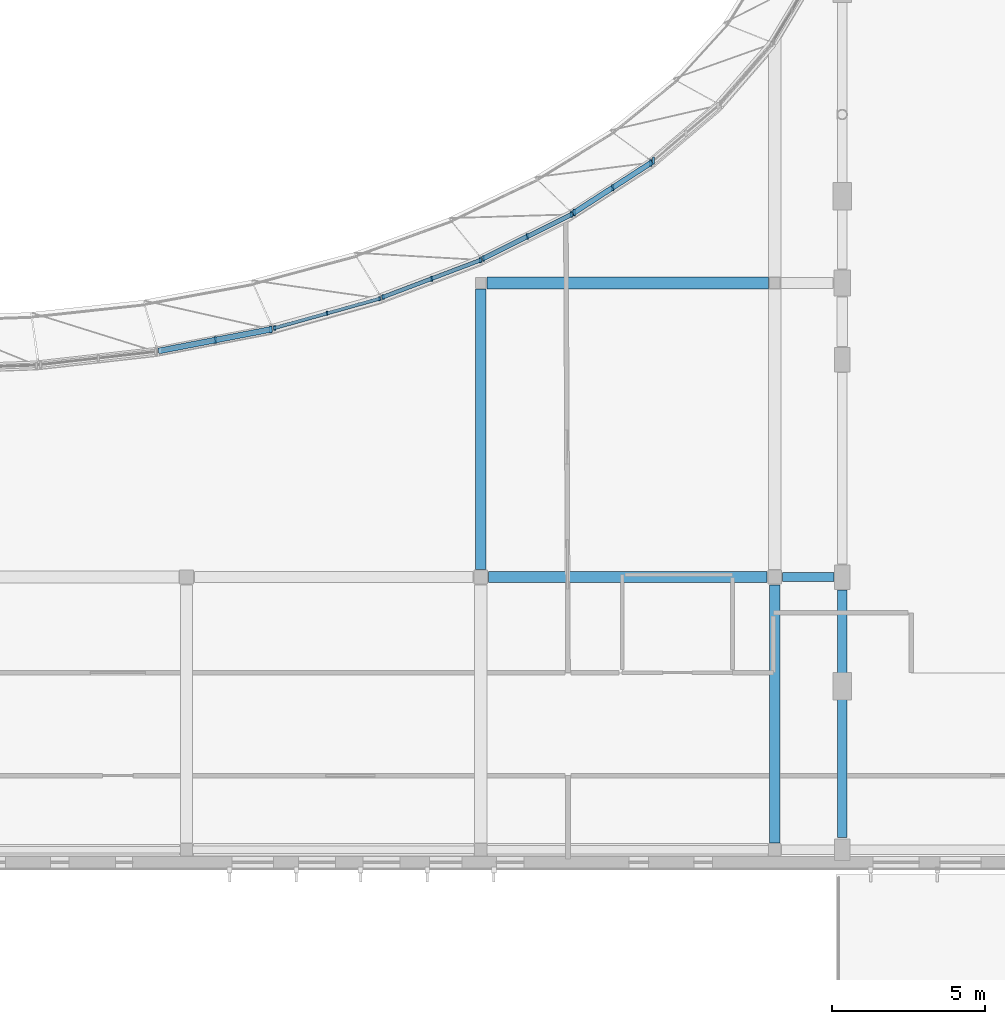
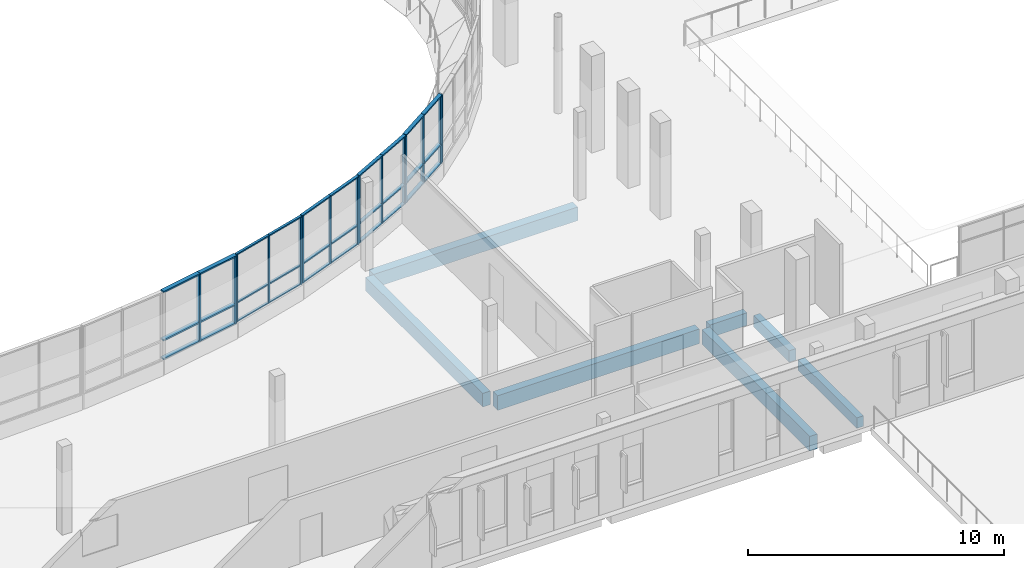
# One storey, part 15 of 73: 45 members, 7 beams, 6 elements without a shape of their own.
"""IFC4 building model written with IfcOpenShell, lengths in metres."""

from ifc_helpers import new_model, si_unit, direction, frame, origin, origin_2d, place, context, subcontext, project, spatial, rectangle, extrude, material, material_profile, profile_set, type_object, element, aggregate, save


model = new_model("IFC4")

# Units and contexts
model_context = context("Model", 3, precision=1e-05, world=origin(), true_north=direction((0.0, 1.0)))
body_context = subcontext(model_context, "Body", "Model", "MODEL_VIEW")
ifc_project = project(units=[si_unit("LENGTHUNIT", "METRE"), si_unit("AREAUNIT", "SQUARE_METRE"), si_unit("VOLUMEUNIT", "CUBIC_METRE"), si_unit("PLANEANGLEUNIT", "RADIAN"), si_unit("MASSUNIT", "GRAM", prefix="KILO")], contexts=[model_context])

# Site, building, storey
site_placement = place(None, origin())
site = spatial("IfcSite", under=ifc_project, at=site_placement, CompositionType="ELEMENT")
building_placement = place(site_placement, origin())
building = spatial("IfcBuilding", under=site, at=building_placement, Name="Mzevani Central Library", CompositionType="ELEMENT")
storey_placement = place(building_placement, frame((0.0, 0.0, 9.60009765625)))
storey = spatial("IfcBuildingStorey", under=building, at=storey_placement, Name="L02", CompositionType="ELEMENT", Elevation=9.60009765625)

# Beams
ifc_material_1 = material(Name="Concrete C35/45", Category="concrete")
ifc_material_profile_1 = material_profile(ifc_material_1, rectangle(XDim=0.300048828125, YDim=0.5, at=origin_2d()), Name="RC B300x500")
ifc_profile_set_1 = profile_set([ifc_material_profile_1], Name="Concrete C35/45")
beam_type_1 = type_object("IfcBeamType", Name="Beam RC 300x500", PredefinedType="BEAM", material=ifc_profile_set_1)
beam_1_placement = place(storey_placement, frame((114.199951171875, 43.5, -0.510009765625), z_axis=(0.0, 1.0, 0.0), x_axis=(-1.0, 0.0, 0.0)))
element("IfcBeam", 1, at=beam_1_placement, inside=storey, type_object=beam_type_1, Name="L02 V1 Frame Beam B-01 (128)", PredefinedType="BEAM", context=body_context, shape_type="SweptSolid", body=[
    extrude(rectangle(XDim=0.300048828125, YDim=0.5, at=origin_2d()), origin(), (0.0, 0.0, 1.0), 4.5830078125),
])
ifc_material_profile_2 = material_profile(ifc_material_1, rectangle(XDim=0.300048828125, YDim=0.550048828125, at=origin_2d()), Name="RC B300x550")
ifc_profile_set_2 = profile_set([ifc_material_profile_2], Name="Concrete C35/45")
beam_type_2 = type_object("IfcBeamType", Name="Beam RC 300x550", PredefinedType="BEAM", material=ifc_profile_set_2)
beam_2_placement = place(storey_placement, frame((114.199951171875, 48.782958984375, -0.53515625), z_axis=(0.0, 1.0, 0.0), x_axis=(-1.0, 0.0, 0.0)))
element("IfcBeam", 2, at=beam_2_placement, inside=storey, type_object=beam_type_2, Name="L02 V1 Frame Beam B-02 (129)", PredefinedType="BEAM", context=body_context, shape_type="SweptSolid", body=[
    extrude(rectangle(XDim=0.300048828125, YDim=0.550048828125, at=origin_2d()), origin(), (0.0, 0.0, 1.0), 2.7919921875),
])
ifc_material_profile_3 = material_profile(ifc_material_1, rectangle(XDim=0.300048828125, YDim=0.60009765625, at=origin_2d()), Name="RC B300x600")
ifc_profile_set_3 = profile_set([ifc_material_profile_3], Name="Concrete C35/45")
beam_type_3 = type_object("IfcBeamType", Name="Beam RC 300x600", PredefinedType="BEAM", material=ifc_profile_set_3)
beam_3_placement = place(storey_placement, frame((112.25, 52.0, -0.56005859375), z_axis=(1.0, 0.0, 0.0), x_axis=(0.0, 1.0, 0.0)))
element("IfcBeam", 3, at=beam_3_placement, inside=storey, type_object=beam_type_3, Name="L02 V1 Girder B-03 (98)", PredefinedType="BEAM", context=body_context, shape_type="SweptSolid", body=[
    extrude(rectangle(XDim=0.300048828125, YDim=0.60009765625, at=origin_2d()), origin(), (0.0, 0.0, 1.0), 1.675048828125),
])
ifc_material_profile_4 = material_profile(ifc_material_1, rectangle(XDim=0.35009765625, YDim=0.64990234375, at=origin_2d()), Name="RC B350x650")
ifc_profile_set_4 = profile_set([ifc_material_profile_4], Name="Concrete C35/45")
beam_type_4 = type_object("IfcBeamType", Name="Beam RC 350x650", PredefinedType="BEAM", material=ifc_profile_set_4)
beam_4_placement = place(storey_placement, frame((102.39990234375, 52.25, -0.585205078125), z_axis=(0.0, 1.0, 0.0), x_axis=(-1.0, 0.0, 0.0)))
element("IfcBeam", 4, at=beam_4_placement, inside=storey, type_object=beam_type_4, Name="L02 V1 Frame Beam B-05 (124)", PredefinedType="BEAM", context=body_context, shape_type="SweptSolid", body=[
    extrude(rectangle(XDim=0.35009765625, YDim=0.64990234375, at=origin_2d()), origin(), (0.0, 0.0, 1.0), 9.14990234375),
])
ifc_material_profile_5 = material_profile(ifc_material_1, rectangle(XDim=0.35009765625, YDim=0.699951171875, at=origin_2d()), Name="RC B350x700")
ifc_profile_set_5 = profile_set([ifc_material_profile_5], Name="Concrete C35/45")
beam_type_5 = type_object("IfcBeamType", Name="Beam RC 350x700", PredefinedType="BEAM", material=ifc_profile_set_5)
beam_5_placement = place(storey_placement, frame((102.64990234375, 52.0, -0.610107421875), z_axis=(1.0, 0.0, 0.0), x_axis=(0.0, 1.0, 0.0)))
element("IfcBeam", 5, at=beam_5_placement, inside=storey, type_object=beam_type_5, Name="L02 V1 Girder B-06 (97)", PredefinedType="BEAM", context=body_context, shape_type="SweptSolid", body=[
    extrude(rectangle(XDim=0.35009765625, YDim=0.699951171875, at=origin_2d()), origin(), (0.0, 0.0, 1.0), 9.10009765625),
])
beam_6_placement = place(storey_placement, frame((112.0, 43.324951171875, -0.610107421875), z_axis=(0.0, 1.0, 0.0), x_axis=(-1.0, 0.0, 0.0)))
element("IfcBeam", 6, at=beam_6_placement, inside=storey, type_object=beam_type_5, Name="L02 V1 Frame Beam B-06 (125)", PredefinedType="BEAM", context=body_context, shape_type="SweptSolid", body=[
    extrude(rectangle(XDim=0.35009765625, YDim=0.699951171875, at=origin_2d()), origin(), (0.0, 0.0, 1.0), 8.425048828125),
])
ifc_material_profile_6 = material_profile(ifc_material_1, rectangle(XDim=0.39990234375, YDim=0.64990234375, at=origin_2d()), Name="RC B400x650")
ifc_profile_set_6 = profile_set([ifc_material_profile_6], Name="Concrete C35/45")
beam_type_6 = type_object("IfcBeamType", Name="Beam RC 400x650", PredefinedType="BEAM", material=ifc_profile_set_6)
beam_7_placement = place(storey_placement, frame((102.60009765625, 61.60009765625, -0.585205078125), z_axis=(1.0, 0.0, 0.0), x_axis=(0.0, 1.0, 0.0)))
element("IfcBeam", 7, at=beam_7_placement, inside=storey, type_object=beam_type_6, Name="L02 V1 Girder B-07 (102)", PredefinedType="BEAM", context=body_context, shape_type="SweptSolid", body=[
    extrude(rectangle(XDim=0.39990234375, YDim=0.64990234375, at=origin_2d()), origin(), (0.0, 0.0, 1.0), 9.199951171875),
])

# Curtain wall, members
ifc_material_2 = material(Name="Thermally broken aluminium and Low-E triple glazing", Category="aluminium")
curtain_wall_type_1 = type_object("IfcCurtainWallType", Name="Reading Hall Northlight Curtain Wall", PredefinedType="NOTDEFINED", material=ifc_material_2)
curtain_wall_1_placement = place(storey_placement, origin())
curtain_wall_1 = element("IfcCurtainWall", 8, at=curtain_wall_1_placement, inside=storey, type_object=curtain_wall_type_1, Name="L02 Elliptical Court Curtain Wall 40", PredefinedType="NOTDEFINED")
ifc_material_3 = material(Name="Thermally broken aluminium AW-6060", Category="aluminium")
ifc_material_profile_7 = material_profile(ifc_material_3, rectangle(XDim=0.06005859375, YDim=0.139892578125, at=origin_2d()), Name="ALU M60x140")
ifc_profile_set_7 = profile_set([ifc_material_profile_7], Name="Thermally broken aluminium AW-6060")
member_type_1 = type_object("IfcMemberType", Name="CW Mullion 60x140", PredefinedType="MULLION", material=ifc_profile_set_7)
member_1_placement = place(storey_placement, frame((95.673095703125, 60.130126953125, 0.719970703125), z_axis=(0.0, 0.0, 1.0), x_axis=(1.0, 0.0, 0.0)))
member_1 = element("IfcMember", 9, at=member_1_placement, type_object=member_type_1, Name="L02 Elliptical Court Curtain Wall 40 Mullion 1", PredefinedType="MULLION", context=body_context, shape_type="SweptSolid", body=[
    extrude(rectangle(XDim=0.06005859375, YDim=0.139892578125, at=origin_2d()), origin(), (0.0, 0.0, 1.0), 3.199951171875),
])
member_2_placement = place(storey_placement, frame((97.384765625, 60.60888671875, 0.719970703125), z_axis=(0.0, 0.0, 1.0), x_axis=(1.0, 0.0, 0.0)))
member_2 = element("IfcMember", 10, at=member_2_placement, type_object=member_type_1, Name="L02 Elliptical Court Curtain Wall 40 Mullion 2", PredefinedType="MULLION", context=body_context, shape_type="SweptSolid", body=[
    extrude(rectangle(XDim=0.06005859375, YDim=0.139892578125, at=origin_2d()), origin(), (0.0, 0.0, 1.0), 3.199951171875),
])
member_3_placement = place(storey_placement, frame((99.09619140625, 61.08740234375, 0.719970703125), z_axis=(0.0, 0.0, 1.0), x_axis=(1.0, 0.0, 0.0)))
member_3 = element("IfcMember", 11, at=member_3_placement, type_object=member_type_1, Name="L02 Elliptical Court Curtain Wall 40 Mullion 3", PredefinedType="MULLION", context=body_context, shape_type="SweptSolid", body=[
    extrude(rectangle(XDim=0.06005859375, YDim=0.139892578125, at=origin_2d()), origin(), (0.0, 0.0, 1.0), 3.199951171875),
])

curtain_wall_type_2 = type_object("IfcCurtainWallType", Name="Elliptical Court Unitised Curtain Wall", PredefinedType="NOTDEFINED", material=ifc_material_2)
curtain_wall_2_placement = place(storey_placement, origin())
curtain_wall_2 = element("IfcCurtainWall", 12, at=curtain_wall_2_placement, inside=storey, type_object=curtain_wall_type_2, Name="L02 Elliptical Court Curtain Wall 41", PredefinedType="NOTDEFINED")
ifc_material_profile_8 = material_profile(ifc_material_3, rectangle(XDim=0.06005859375, YDim=0.159912109375, at=origin_2d()), Name="ALU M60x160")
ifc_profile_set_8 = profile_set([ifc_material_profile_8], Name="Thermally broken aluminium AW-6060")
member_type_2 = type_object("IfcMemberType", Name="CW Mullion 60x160", PredefinedType="MULLION", material=ifc_profile_set_8)
member_4_placement = place(storey_placement, frame((99.21435546875, 61.142333984375, 0.719970703125), z_axis=(0.0, 0.0, 1.0), x_axis=(1.0, 0.0, 0.0)))
member_4 = element("IfcMember", 13, at=member_4_placement, type_object=member_type_2, Name="L02 Elliptical Court Curtain Wall 41 Mullion 1", PredefinedType="MULLION", context=body_context, shape_type="SweptSolid", body=[
    extrude(rectangle(XDim=0.06005859375, YDim=0.159912109375, at=origin_2d()), origin(), (0.0, 0.0, 1.0), 3.199951171875),
])
member_5_placement = place(storey_placement, frame((100.799072265625, 61.74267578125, 0.719970703125), z_axis=(0.0, 0.0, 1.0), x_axis=(1.0, 0.0, 0.0)))
member_5 = element("IfcMember", 14, at=member_5_placement, type_object=member_type_2, Name="L02 Elliptical Court Curtain Wall 41 Mullion 2", PredefinedType="MULLION", context=body_context, shape_type="SweptSolid", body=[
    extrude(rectangle(XDim=0.06005859375, YDim=0.159912109375, at=origin_2d()), origin(), (0.0, 0.0, 1.0), 3.199951171875),
])
member_6_placement = place(storey_placement, frame((102.3837890625, 62.34326171875, 0.719970703125), z_axis=(0.0, 0.0, 1.0), x_axis=(1.0, 0.0, 0.0)))
member_6 = element("IfcMember", 15, at=member_6_placement, type_object=member_type_2, Name="L02 Elliptical Court Curtain Wall 41 Mullion 3", PredefinedType="MULLION", context=body_context, shape_type="SweptSolid", body=[
    extrude(rectangle(XDim=0.06005859375, YDim=0.159912109375, at=origin_2d()), origin(), (0.0, 0.0, 1.0), 3.199951171875),
])

curtain_wall_3_placement = place(storey_placement, origin())
curtain_wall_3 = element("IfcCurtainWall", 16, at=curtain_wall_3_placement, inside=storey, type_object=curtain_wall_type_2, Name="L02 Elliptical Court Curtain Wall 42", PredefinedType="NOTDEFINED")
ifc_material_profile_9 = material_profile(ifc_material_3, rectangle(XDim=0.06005859375, YDim=0.179931640625, at=origin_2d()), Name="ALU M60x180")
ifc_profile_set_9 = profile_set([ifc_material_profile_9], Name="Thermally broken aluminium AW-6060")
member_type_3 = type_object("IfcMemberType", Name="CW Mullion 60x180", PredefinedType="MULLION", material=ifc_profile_set_9)
member_7_placement = place(storey_placement, frame((102.492431640625, 62.406005859375, 0.719970703125), z_axis=(0.0, 0.0, 1.0), x_axis=(1.0, 0.0, 0.0)))
member_7 = element("IfcMember", 17, at=member_7_placement, type_object=member_type_3, Name="L02 Elliptical Court Curtain Wall 42 Mullion 1", PredefinedType="MULLION", context=body_context, shape_type="SweptSolid", body=[
    extrude(rectangle(XDim=0.06005859375, YDim=0.179931640625, at=origin_2d()), origin(), (0.0, 0.0, 1.0), 3.199951171875),
])
member_8_placement = place(storey_placement, frame((103.9228515625, 63.117431640625, 0.719970703125), z_axis=(0.0, 0.0, 1.0), x_axis=(1.0, 0.0, 0.0)))
member_8 = element("IfcMember", 18, at=member_8_placement, type_object=member_type_3, Name="L02 Elliptical Court Curtain Wall 42 Mullion 2", PredefinedType="MULLION", context=body_context, shape_type="SweptSolid", body=[
    extrude(rectangle(XDim=0.06005859375, YDim=0.179931640625, at=origin_2d()), origin(), (0.0, 0.0, 1.0), 3.199951171875),
])
member_9_placement = place(storey_placement, frame((105.35302734375, 63.828857421875, 0.719970703125), z_axis=(0.0, 0.0, 1.0), x_axis=(1.0, 0.0, 0.0)))
member_9 = element("IfcMember", 19, at=member_9_placement, type_object=member_type_3, Name="L02 Elliptical Court Curtain Wall 42 Mullion 3", PredefinedType="MULLION", context=body_context, shape_type="SweptSolid", body=[
    extrude(rectangle(XDim=0.06005859375, YDim=0.179931640625, at=origin_2d()), origin(), (0.0, 0.0, 1.0), 3.199951171875),
])

curtain_wall_4_placement = place(storey_placement, origin())
curtain_wall_4 = element("IfcCurtainWall", 20, at=curtain_wall_4_placement, inside=storey, type_object=curtain_wall_type_1, Name="L02 Elliptical Court Curtain Wall 43", PredefinedType="NOTDEFINED")
ifc_material_profile_10 = material_profile(ifc_material_3, rectangle(XDim=0.06494140625, YDim=0.199951171875, at=origin_2d()), Name="ALU M65x200")
ifc_profile_set_10 = profile_set([ifc_material_profile_10], Name="Thermally broken aluminium AW-6060")
member_type_4 = type_object("IfcMemberType", Name="CW Mullion 65x200", PredefinedType="MULLION", material=ifc_profile_set_10)
member_10_placement = place(storey_placement, frame((105.4521484375, 63.899658203125, 0.719970703125), z_axis=(0.0, 0.0, 1.0), x_axis=(1.0, 0.0, 0.0)))
member_10 = element("IfcMember", 21, at=member_10_placement, type_object=member_type_4, Name="L02 Elliptical Court Curtain Wall 43 Mullion 1", PredefinedType="MULLION", context=body_context, shape_type="SweptSolid", body=[
    extrude(rectangle(XDim=0.06494140625, YDim=0.199951171875, at=origin_2d()), origin(), (0.0, 0.0, 1.0), 3.199951171875),
])
member_11_placement = place(storey_placement, frame((106.703857421875, 64.708984375, 0.719970703125), z_axis=(0.0, 0.0, 1.0), x_axis=(1.0, 0.0, 0.0)))
member_11 = element("IfcMember", 22, at=member_11_placement, type_object=member_type_4, Name="L02 Elliptical Court Curtain Wall 43 Mullion 2", PredefinedType="MULLION", context=body_context, shape_type="SweptSolid", body=[
    extrude(rectangle(XDim=0.06494140625, YDim=0.199951171875, at=origin_2d()), origin(), (0.0, 0.0, 1.0), 3.199951171875),
])
member_12_placement = place(storey_placement, frame((107.95556640625, 65.5185546875, 0.719970703125), z_axis=(0.0, 0.0, 1.0), x_axis=(1.0, 0.0, 0.0)))
member_12 = element("IfcMember", 23, at=member_12_placement, type_object=member_type_4, Name="L02 Elliptical Court Curtain Wall 43 Mullion 3", PredefinedType="MULLION", context=body_context, shape_type="SweptSolid", body=[
    extrude(rectangle(XDim=0.06494140625, YDim=0.199951171875, at=origin_2d()), origin(), (0.0, 0.0, 1.0), 3.199951171875),
])

curtain_wall_5_placement = place(storey_placement, origin())
curtain_wall_5 = element("IfcCurtainWall", 24, at=curtain_wall_5_placement, inside=storey, type_object=curtain_wall_type_2, Name="L02 Elliptical Court Curtain Wall 39", PredefinedType="NOTDEFINED")
ifc_material_profile_11 = material_profile(ifc_material_3, rectangle(XDim=0.070068359375, YDim=0.219970703125, at=origin_2d()), Name="ALU M70x220")
ifc_profile_set_11 = profile_set([ifc_material_profile_11], Name="Thermally broken aluminium AW-6060")
member_type_5 = type_object("IfcMemberType", Name="CW Mullion 70x220", PredefinedType="MULLION", material=ifc_profile_set_11)
member_13_placement = place(storey_placement, frame((93.735595703125, 59.736328125, 0.719970703125), z_axis=(0.0, 0.0, 1.0), x_axis=(1.0, 0.0, 0.0)))
member_13 = element("IfcMember", 25, at=member_13_placement, type_object=member_type_5, Name="L02 Elliptical Court Curtain Wall 39 Mullion 2", PredefinedType="MULLION", context=body_context, shape_type="SweptSolid", body=[
    extrude(rectangle(XDim=0.070068359375, YDim=0.219970703125, at=origin_2d()), origin(), (0.0, 0.0, 1.0), 3.199951171875),
])
member_14_placement = place(storey_placement, frame((95.54443359375, 60.08447265625, 0.719970703125), z_axis=(0.0, 0.0, 1.0), x_axis=(1.0, 0.0, 0.0)))
member_14 = element("IfcMember", 26, at=member_14_placement, type_object=member_type_5, Name="L02 Elliptical Court Curtain Wall 39 Mullion 3", PredefinedType="MULLION", context=body_context, shape_type="SweptSolid", body=[
    extrude(rectangle(XDim=0.070068359375, YDim=0.219970703125, at=origin_2d()), origin(), (0.0, 0.0, 1.0), 3.199951171875),
])

# Curtain wall, member
curtain_wall_6_placement = place(storey_placement, origin())
curtain_wall_6 = element("IfcCurtainWall", 27, at=curtain_wall_6_placement, inside=storey, type_object=curtain_wall_type_2, Name="L02 Elliptical Court Curtain Wall 44", PredefinedType="NOTDEFINED")
member_15_placement = place(storey_placement, frame((108.04443359375, 65.597900390625, 0.719970703125), z_axis=(0.0, 0.0, 1.0), x_axis=(1.0, 0.0, 0.0)))
member_15 = element("IfcMember", 28, at=member_15_placement, type_object=member_type_5, Name="L02 Elliptical Court Curtain Wall 44 Mullion 1", PredefinedType="MULLION", context=body_context, shape_type="SweptSolid", body=[
    extrude(rectangle(XDim=0.070068359375, YDim=0.219970703125, at=origin_2d()), origin(), (0.0, 0.0, 1.0), 3.199951171875),
])
aggregate(curtain_wall_6, [member_15])

# Member
ifc_material_profile_12 = material_profile(ifc_material_3, rectangle(XDim=0.110107421875, YDim=0.06005859375, at=origin_2d()), Name="ALU T60x110")
ifc_profile_set_12 = profile_set([ifc_material_profile_12], Name="Thermally broken aluminium AW-6060")
member_type_6 = type_object("IfcMemberType", Name="CW Transom 60x110", PredefinedType="USERDEFINED", material=ifc_profile_set_12)
member_16_placement = place(storey_placement, frame((95.625, 60.11669921875, 0.719970703125), z_axis=(0.963041686068, 0.269352391664, 0.0), x_axis=(-0.269352391664, 0.963041686068, 0.0)))
member_16 = element("IfcMember", 29, at=member_16_placement, type_object=member_type_6, Name="L02 Elliptical Court Curtain Wall 40 Transom 1", ObjectType="TRANSOM", PredefinedType="USERDEFINED", context=body_context, shape_type="SweptSolid", body=[
    extrude(rectangle(XDim=0.110107421875, YDim=0.06005859375, at=origin_2d()), origin(), (0.0, 0.0, 1.0), 1.827392578125),
])

member_17_placement = place(storey_placement, frame((95.625, 60.11669921875, 1.619873046875), z_axis=(0.963041686068, 0.269352391664, 0.0), x_axis=(-0.269352391664, 0.963041686068, 0.0)))
member_17 = element("IfcMember", 30, at=member_17_placement, type_object=member_type_6, Name="L02 Elliptical Court Curtain Wall 40 Transom 2", ObjectType="TRANSOM", PredefinedType="USERDEFINED", context=body_context, shape_type="SweptSolid", body=[
    extrude(rectangle(XDim=0.110107421875, YDim=0.06005859375, at=origin_2d()), origin(), (0.0, 0.0, 1.0), 1.827392578125),
])

member_18_placement = place(storey_placement, frame((95.625, 60.11669921875, 3.919921875), z_axis=(0.963041686068, 0.269352391664, 0.0), x_axis=(-0.269352391664, 0.963041686068, 0.0)))
member_18 = element("IfcMember", 31, at=member_18_placement, type_object=member_type_6, Name="L02 Elliptical Court Curtain Wall 40 Transom 3", ObjectType="TRANSOM", PredefinedType="USERDEFINED", context=body_context, shape_type="SweptSolid", body=[
    extrude(rectangle(XDim=0.110107421875, YDim=0.06005859375, at=origin_2d()), origin(), (0.0, 0.0, 1.0), 1.827392578125),
])

member_19_placement = place(storey_placement, frame((97.384765625, 60.60888671875, 0.719970703125), z_axis=(0.963066650154, 0.269263119198, 0.0), x_axis=(-0.269263119198, 0.963066650154, 0.0)))
member_19 = element("IfcMember", 32, at=member_19_placement, type_object=member_type_6, Name="L02 Elliptical Court Curtain Wall 40 Transom 4", ObjectType="TRANSOM", PredefinedType="USERDEFINED", context=body_context, shape_type="SweptSolid", body=[
    extrude(rectangle(XDim=0.110107421875, YDim=0.06005859375, at=origin_2d()), origin(), (0.0, 0.0, 1.0), 1.826904296875),
])

member_20_placement = place(storey_placement, frame((97.384765625, 60.60888671875, 1.619873046875), z_axis=(0.963066650154, 0.269263119198, 0.0), x_axis=(-0.269263119198, 0.963066650154, 0.0)))
member_20 = element("IfcMember", 33, at=member_20_placement, type_object=member_type_6, Name="L02 Elliptical Court Curtain Wall 40 Transom 5", ObjectType="TRANSOM", PredefinedType="USERDEFINED", context=body_context, shape_type="SweptSolid", body=[
    extrude(rectangle(XDim=0.110107421875, YDim=0.06005859375, at=origin_2d()), origin(), (0.0, 0.0, 1.0), 1.826904296875),
])

member_21_placement = place(storey_placement, frame((97.384765625, 60.60888671875, 3.919921875), z_axis=(0.963066650154, 0.269263119198, 0.0), x_axis=(-0.269263119198, 0.963066650154, 0.0)))
member_21 = element("IfcMember", 34, at=member_21_placement, type_object=member_type_6, Name="L02 Elliptical Court Curtain Wall 40 Transom 6", ObjectType="TRANSOM", PredefinedType="USERDEFINED", context=body_context, shape_type="SweptSolid", body=[
    extrude(rectangle(XDim=0.110107421875, YDim=0.06005859375, at=origin_2d()), origin(), (0.0, 0.0, 1.0), 1.826904296875),
])

aggregate(curtain_wall_1, [member_1, member_2, member_3, member_16, member_17, member_18, member_19, member_20, member_21])

ifc_material_profile_13 = material_profile(ifc_material_3, rectangle(XDim=0.1298828125, YDim=0.06005859375, at=origin_2d()), Name="ALU T60x130")
ifc_profile_set_13 = profile_set([ifc_material_profile_13], Name="Thermally broken aluminium AW-6060")
member_type_7 = type_object("IfcMemberType", Name="CW Transom 60x130", PredefinedType="USERDEFINED", material=ifc_profile_set_13)
member_22_placement = place(storey_placement, frame((99.167724609375, 61.12451171875, 0.719970703125), z_axis=(0.93511588963, 0.354342028217, 0.0), x_axis=(-0.354342028217, 0.93511588963, 0.0)))
member_22 = element("IfcMember", 35, at=member_22_placement, type_object=member_type_7, Name="L02 Elliptical Court Curtain Wall 41 Transom 1", ObjectType="TRANSOM", PredefinedType="USERDEFINED", context=body_context, shape_type="SweptSolid", body=[
    extrude(rectangle(XDim=0.1298828125, YDim=0.06005859375, at=origin_2d()), origin(), (0.0, 0.0, 1.0), 1.74462890625),
])

member_23_placement = place(storey_placement, frame((99.167724609375, 61.12451171875, 1.619873046875), z_axis=(0.93511588963, 0.354342028217, 0.0), x_axis=(-0.354342028217, 0.93511588963, 0.0)))
member_23 = element("IfcMember", 36, at=member_23_placement, type_object=member_type_7, Name="L02 Elliptical Court Curtain Wall 41 Transom 2", ObjectType="TRANSOM", PredefinedType="USERDEFINED", context=body_context, shape_type="SweptSolid", body=[
    extrude(rectangle(XDim=0.1298828125, YDim=0.06005859375, at=origin_2d()), origin(), (0.0, 0.0, 1.0), 1.74462890625),
])

member_24_placement = place(storey_placement, frame((99.167724609375, 61.12451171875, 3.919921875), z_axis=(0.93511588963, 0.354342028217, 0.0), x_axis=(-0.354342028217, 0.93511588963, 0.0)))
member_24 = element("IfcMember", 37, at=member_24_placement, type_object=member_type_7, Name="L02 Elliptical Court Curtain Wall 41 Transom 3", ObjectType="TRANSOM", PredefinedType="USERDEFINED", context=body_context, shape_type="SweptSolid", body=[
    extrude(rectangle(XDim=0.1298828125, YDim=0.06005859375, at=origin_2d()), origin(), (0.0, 0.0, 1.0), 1.74462890625),
])

member_25_placement = place(storey_placement, frame((100.799072265625, 61.74267578125, 0.719970703125), z_axis=(0.935133457498, 0.354295662784, 0.0), x_axis=(-0.354295662784, 0.935133457498, 0.0)))
member_25 = element("IfcMember", 38, at=member_25_placement, type_object=member_type_7, Name="L02 Elliptical Court Curtain Wall 41 Transom 4", ObjectType="TRANSOM", PredefinedType="USERDEFINED", context=body_context, shape_type="SweptSolid", body=[
    extrude(rectangle(XDim=0.1298828125, YDim=0.06005859375, at=origin_2d()), origin(), (0.0, 0.0, 1.0), 1.744873046875),
])

member_26_placement = place(storey_placement, frame((100.799072265625, 61.74267578125, 1.619873046875), z_axis=(0.935133457498, 0.354295662784, 0.0), x_axis=(-0.354295662784, 0.935133457498, 0.0)))
member_26 = element("IfcMember", 39, at=member_26_placement, type_object=member_type_7, Name="L02 Elliptical Court Curtain Wall 41 Transom 5", ObjectType="TRANSOM", PredefinedType="USERDEFINED", context=body_context, shape_type="SweptSolid", body=[
    extrude(rectangle(XDim=0.1298828125, YDim=0.06005859375, at=origin_2d()), origin(), (0.0, 0.0, 1.0), 1.744873046875),
])

member_27_placement = place(storey_placement, frame((100.799072265625, 61.74267578125, 3.919921875), z_axis=(0.935133457498, 0.354295662784, 0.0), x_axis=(-0.354295662784, 0.935133457498, 0.0)))
member_27 = element("IfcMember", 40, at=member_27_placement, type_object=member_type_7, Name="L02 Elliptical Court Curtain Wall 41 Transom 6", ObjectType="TRANSOM", PredefinedType="USERDEFINED", context=body_context, shape_type="SweptSolid", body=[
    extrude(rectangle(XDim=0.1298828125, YDim=0.06005859375, at=origin_2d()), origin(), (0.0, 0.0, 1.0), 1.744873046875),
])

aggregate(curtain_wall_2, [member_4, member_5, member_6, member_22, member_23, member_24, member_25, member_26, member_27])

ifc_material_profile_14 = material_profile(ifc_material_3, rectangle(XDim=0.14990234375, YDim=0.06005859375, at=origin_2d()), Name="ALU T60x150")
ifc_profile_set_14 = profile_set([ifc_material_profile_14], Name="Thermally broken aluminium AW-6060")
member_type_8 = type_object("IfcMemberType", Name="CW Transom 60x150", PredefinedType="USERDEFINED", material=ifc_profile_set_14)
member_28_placement = place(storey_placement, frame((102.447509765625, 62.3837890625, 0.719970703125), z_axis=(0.895402987273, 0.445256656753, 0.0), x_axis=(-0.445256656753, 0.895402987273, 0.0)))
member_28 = element("IfcMember", 41, at=member_28_placement, type_object=member_type_8, Name="L02 Elliptical Court Curtain Wall 42 Transom 1", ObjectType="TRANSOM", PredefinedType="USERDEFINED", context=body_context, shape_type="SweptSolid", body=[
    extrude(rectangle(XDim=0.14990234375, YDim=0.06005859375, at=origin_2d()), origin(), (0.0, 0.0, 1.0), 1.647705078125),
])

member_29_placement = place(storey_placement, frame((102.447509765625, 62.3837890625, 1.619873046875), z_axis=(0.895402987273, 0.445256656753, 0.0), x_axis=(-0.445256656753, 0.895402987273, 0.0)))
member_29 = element("IfcMember", 42, at=member_29_placement, type_object=member_type_8, Name="L02 Elliptical Court Curtain Wall 42 Transom 2", ObjectType="TRANSOM", PredefinedType="USERDEFINED", context=body_context, shape_type="SweptSolid", body=[
    extrude(rectangle(XDim=0.14990234375, YDim=0.06005859375, at=origin_2d()), origin(), (0.0, 0.0, 1.0), 1.647705078125),
])

member_30_placement = place(storey_placement, frame((102.447509765625, 62.3837890625, 3.919921875), z_axis=(0.895402987273, 0.445256656753, 0.0), x_axis=(-0.445256656753, 0.895402987273, 0.0)))
member_30 = element("IfcMember", 43, at=member_30_placement, type_object=member_type_8, Name="L02 Elliptical Court Curtain Wall 42 Transom 3", ObjectType="TRANSOM", PredefinedType="USERDEFINED", context=body_context, shape_type="SweptSolid", body=[
    extrude(rectangle(XDim=0.14990234375, YDim=0.06005859375, at=origin_2d()), origin(), (0.0, 0.0, 1.0), 1.647705078125),
])

member_31_placement = place(storey_placement, frame((103.9228515625, 63.117431640625, 0.719970703125), z_axis=(0.895373605823, 0.445315737421, 0.0), x_axis=(-0.445315737421, 0.895373605823, 0.0)))
member_31 = element("IfcMember", 44, at=member_31_placement, type_object=member_type_8, Name="L02 Elliptical Court Curtain Wall 42 Transom 4", ObjectType="TRANSOM", PredefinedType="USERDEFINED", context=body_context, shape_type="SweptSolid", body=[
    extrude(rectangle(XDim=0.14990234375, YDim=0.06005859375, at=origin_2d()), origin(), (0.0, 0.0, 1.0), 1.6474609375),
])

member_32_placement = place(storey_placement, frame((103.9228515625, 63.117431640625, 1.619873046875), z_axis=(0.895373605823, 0.445315737421, 0.0), x_axis=(-0.445315737421, 0.895373605823, 0.0)))
member_32 = element("IfcMember", 45, at=member_32_placement, type_object=member_type_8, Name="L02 Elliptical Court Curtain Wall 42 Transom 5", ObjectType="TRANSOM", PredefinedType="USERDEFINED", context=body_context, shape_type="SweptSolid", body=[
    extrude(rectangle(XDim=0.14990234375, YDim=0.06005859375, at=origin_2d()), origin(), (0.0, 0.0, 1.0), 1.6474609375),
])

member_33_placement = place(storey_placement, frame((103.9228515625, 63.117431640625, 3.919921875), z_axis=(0.895373605823, 0.445315737421, 0.0), x_axis=(-0.445315737421, 0.895373605823, 0.0)))
member_33 = element("IfcMember", 46, at=member_33_placement, type_object=member_type_8, Name="L02 Elliptical Court Curtain Wall 42 Transom 6", ObjectType="TRANSOM", PredefinedType="USERDEFINED", context=body_context, shape_type="SweptSolid", body=[
    extrude(rectangle(XDim=0.14990234375, YDim=0.06005859375, at=origin_2d()), origin(), (0.0, 0.0, 1.0), 1.6474609375),
])

aggregate(curtain_wall_3, [member_7, member_8, member_9, member_28, member_29, member_30, member_31, member_32, member_33])

ifc_material_profile_15 = material_profile(ifc_material_3, rectangle(XDim=0.169921875, YDim=0.06494140625, at=origin_2d()), Name="ALU T65x170")
ifc_profile_set_15 = profile_set([ifc_material_profile_15], Name="Thermally broken aluminium AW-6060")
member_type_9 = type_object("IfcMemberType", Name="CW Transom 65x170", PredefinedType="USERDEFINED", material=ifc_profile_set_15)
member_34_placement = place(storey_placement, frame((105.41015625, 63.87255859375, 0.719970703125), z_axis=(0.839769936055, 0.542942404402, 0.0), x_axis=(-0.542942404402, 0.839769936055, 0.0)))
member_34 = element("IfcMember", 47, at=member_34_placement, type_object=member_type_9, Name="L02 Elliptical Court Curtain Wall 43 Transom 1", ObjectType="TRANSOM", PredefinedType="USERDEFINED", context=body_context, shape_type="SweptSolid", body=[
    extrude(rectangle(XDim=0.169921875, YDim=0.06494140625, at=origin_2d()), origin(), (0.0, 0.0, 1.0), 1.54052734375),
])

member_35_placement = place(storey_placement, frame((105.41015625, 63.87255859375, 1.619873046875), z_axis=(0.839769936055, 0.542942404402, 0.0), x_axis=(-0.542942404402, 0.839769936055, 0.0)))
member_35 = element("IfcMember", 48, at=member_35_placement, type_object=member_type_9, Name="L02 Elliptical Court Curtain Wall 43 Transom 2", ObjectType="TRANSOM", PredefinedType="USERDEFINED", context=body_context, shape_type="SweptSolid", body=[
    extrude(rectangle(XDim=0.169921875, YDim=0.06494140625, at=origin_2d()), origin(), (0.0, 0.0, 1.0), 1.54052734375),
])

member_36_placement = place(storey_placement, frame((105.41015625, 63.87255859375, 3.919921875), z_axis=(0.839769936055, 0.542942404402, 0.0), x_axis=(-0.542942404402, 0.839769936055, 0.0)))
member_36 = element("IfcMember", 49, at=member_36_placement, type_object=member_type_9, Name="L02 Elliptical Court Curtain Wall 43 Transom 3", ObjectType="TRANSOM", PredefinedType="USERDEFINED", context=body_context, shape_type="SweptSolid", body=[
    extrude(rectangle(XDim=0.169921875, YDim=0.06494140625, at=origin_2d()), origin(), (0.0, 0.0, 1.0), 1.54052734375),
])

member_37_placement = place(storey_placement, frame((106.703857421875, 64.708984375, 0.719970703125), z_axis=(0.839697677744, 0.543054150147, 0.0), x_axis=(-0.543054150147, 0.839697677744, 0.0)))
member_37 = element("IfcMember", 50, at=member_37_placement, type_object=member_type_9, Name="L02 Elliptical Court Curtain Wall 43 Transom 4", ObjectType="TRANSOM", PredefinedType="USERDEFINED", context=body_context, shape_type="SweptSolid", body=[
    extrude(rectangle(XDim=0.169921875, YDim=0.06494140625, at=origin_2d()), origin(), (0.0, 0.0, 1.0), 1.540771484375),
])

member_38_placement = place(storey_placement, frame((106.703857421875, 64.708984375, 1.619873046875), z_axis=(0.839697677744, 0.543054150147, 0.0), x_axis=(-0.543054150147, 0.839697677744, 0.0)))
member_38 = element("IfcMember", 51, at=member_38_placement, type_object=member_type_9, Name="L02 Elliptical Court Curtain Wall 43 Transom 5", ObjectType="TRANSOM", PredefinedType="USERDEFINED", context=body_context, shape_type="SweptSolid", body=[
    extrude(rectangle(XDim=0.169921875, YDim=0.06494140625, at=origin_2d()), origin(), (0.0, 0.0, 1.0), 1.540771484375),
])

member_39_placement = place(storey_placement, frame((106.703857421875, 64.708984375, 3.919921875), z_axis=(0.839697677744, 0.543054150147, 0.0), x_axis=(-0.543054150147, 0.839697677744, 0.0)))
member_39 = element("IfcMember", 52, at=member_39_placement, type_object=member_type_9, Name="L02 Elliptical Court Curtain Wall 43 Transom 6", ObjectType="TRANSOM", PredefinedType="USERDEFINED", context=body_context, shape_type="SweptSolid", body=[
    extrude(rectangle(XDim=0.169921875, YDim=0.06494140625, at=origin_2d()), origin(), (0.0, 0.0, 1.0), 1.540771484375),
])

aggregate(curtain_wall_4, [member_10, member_11, member_12, member_34, member_35, member_36, member_37, member_38, member_39])

ifc_material_profile_16 = material_profile(ifc_material_3, rectangle(XDim=0.18994140625, YDim=0.070068359375, at=origin_2d()), Name="ALU T70x190")
ifc_profile_set_16 = profile_set([ifc_material_profile_16], Name="Thermally broken aluminium AW-6060")
member_type_10 = type_object("IfcMemberType", Name="CW Transom 70x190", PredefinedType="USERDEFINED", material=ifc_profile_set_16)
member_40_placement = place(storey_placement, frame((91.877685546875, 59.378662109375, 0.719970703125), z_axis=(0.981969613273, 0.189038828311, 0.0), x_axis=(-0.189038828311, 0.981969613273, 0.0)))
member_40 = element("IfcMember", 53, at=member_40_placement, type_object=member_type_10, Name="L02 Elliptical Court Curtain Wall 39 Transom 1", ObjectType="TRANSOM", PredefinedType="USERDEFINED", context=body_context, shape_type="SweptSolid", body=[
    extrude(rectangle(XDim=0.18994140625, YDim=0.070068359375, at=origin_2d()), origin(), (0.0, 0.0, 1.0), 1.89208984375),
])

member_41_placement = place(storey_placement, frame((91.877685546875, 59.378662109375, 1.619873046875), z_axis=(0.981969613273, 0.189038828311, 0.0), x_axis=(-0.189038828311, 0.981969613273, 0.0)))
member_41 = element("IfcMember", 54, at=member_41_placement, type_object=member_type_10, Name="L02 Elliptical Court Curtain Wall 39 Transom 2", ObjectType="TRANSOM", PredefinedType="USERDEFINED", context=body_context, shape_type="SweptSolid", body=[
    extrude(rectangle(XDim=0.18994140625, YDim=0.070068359375, at=origin_2d()), origin(), (0.0, 0.0, 1.0), 1.89208984375),
])

member_42_placement = place(storey_placement, frame((91.877685546875, 59.378662109375, 3.919921875), z_axis=(0.981969613273, 0.189038828311, 0.0), x_axis=(-0.189038828311, 0.981969613273, 0.0)))
member_42 = element("IfcMember", 55, at=member_42_placement, type_object=member_type_10, Name="L02 Elliptical Court Curtain Wall 39 Transom 3", ObjectType="TRANSOM", PredefinedType="USERDEFINED", context=body_context, shape_type="SweptSolid", body=[
    extrude(rectangle(XDim=0.18994140625, YDim=0.070068359375, at=origin_2d()), origin(), (0.0, 0.0, 1.0), 1.89208984375),
])

member_43_placement = place(storey_placement, frame((93.735595703125, 59.736328125, 0.719970703125), z_axis=(0.981969613273, 0.189038828311, 0.0), x_axis=(-0.189038828311, 0.981969613273, 0.0)))
member_43 = element("IfcMember", 56, at=member_43_placement, type_object=member_type_10, Name="L02 Elliptical Court Curtain Wall 39 Transom 4", ObjectType="TRANSOM", PredefinedType="USERDEFINED", context=body_context, shape_type="SweptSolid", body=[
    extrude(rectangle(XDim=0.18994140625, YDim=0.070068359375, at=origin_2d()), origin(), (0.0, 0.0, 1.0), 1.89208984375),
])

member_44_placement = place(storey_placement, frame((93.735595703125, 59.736328125, 1.619873046875), z_axis=(0.981969613273, 0.189038828311, 0.0), x_axis=(-0.189038828311, 0.981969613273, 0.0)))
member_44 = element("IfcMember", 57, at=member_44_placement, type_object=member_type_10, Name="L02 Elliptical Court Curtain Wall 39 Transom 5", ObjectType="TRANSOM", PredefinedType="USERDEFINED", context=body_context, shape_type="SweptSolid", body=[
    extrude(rectangle(XDim=0.18994140625, YDim=0.070068359375, at=origin_2d()), origin(), (0.0, 0.0, 1.0), 1.89208984375),
])

member_45_placement = place(storey_placement, frame((93.735595703125, 59.736328125, 3.919921875), z_axis=(0.981969613273, 0.189038828311, 0.0), x_axis=(-0.189038828311, 0.981969613273, 0.0)))
member_45 = element("IfcMember", 58, at=member_45_placement, type_object=member_type_10, Name="L02 Elliptical Court Curtain Wall 39 Transom 6", ObjectType="TRANSOM", PredefinedType="USERDEFINED", context=body_context, shape_type="SweptSolid", body=[
    extrude(rectangle(XDim=0.18994140625, YDim=0.070068359375, at=origin_2d()), origin(), (0.0, 0.0, 1.0), 1.89208984375),
])

aggregate(curtain_wall_5, [member_13, member_14, member_40, member_41, member_42, member_43, member_44, member_45])

save(model, "model.ifc")
